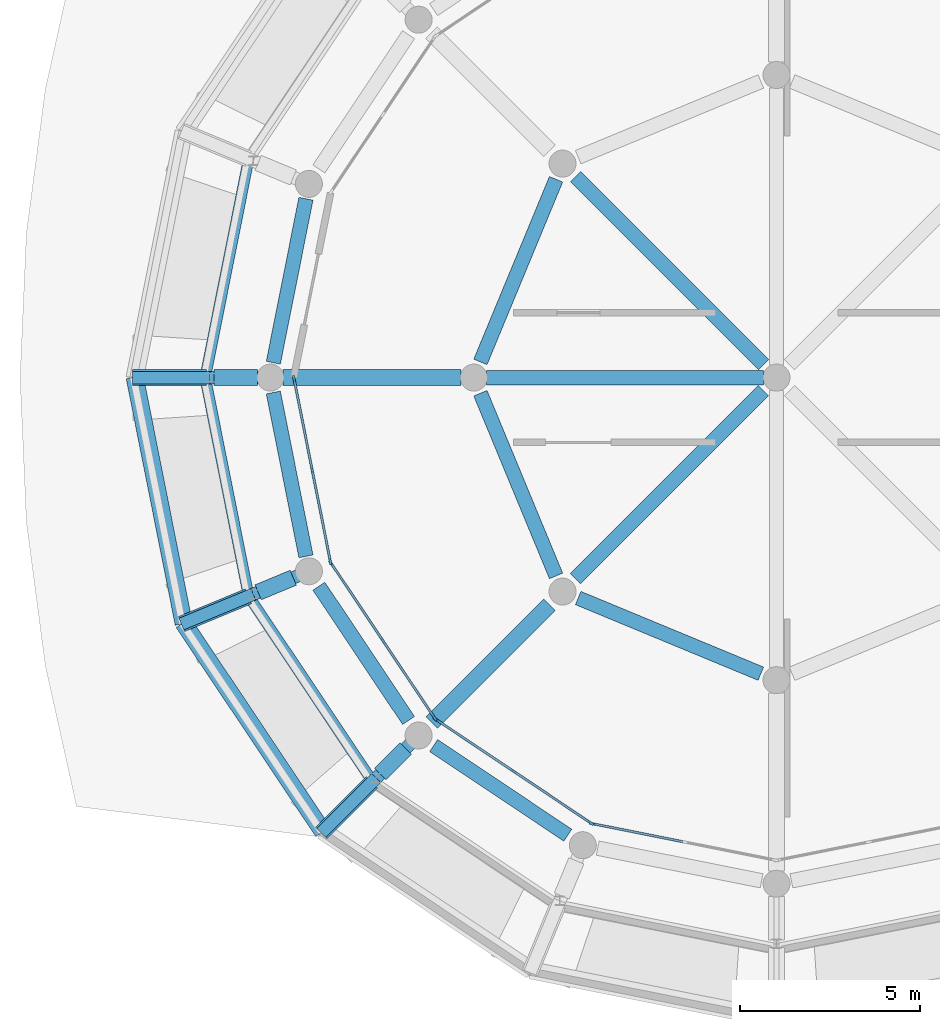
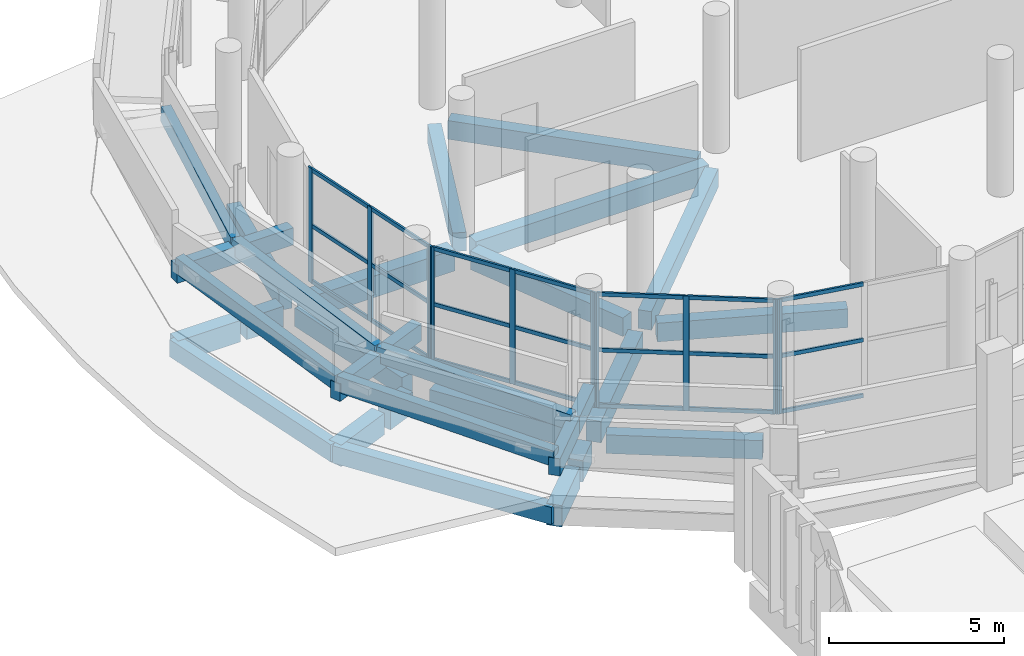
# One storey, part 30 of 117: 31 beams, 31 members, 4 elements without a shape of their own.
"""IFC4 building model written with IfcOpenShell, lengths in metres."""

import ifcopenshell
import ifcopenshell.guid

model = None  # the IFC model being written
_history = None  # IfcOwnerHistory: only IFC2X3 demands one
_inside = {}  # id of a spatial element -> (the spatial element, [elements in it])
_under = {}  # id of a project, library or spatial element -> (it, [spatial elements below it])
_declared = {}  # id of a project -> (the project, [libraries it declares])
_typed = {}  # id of a type object -> (the type object, [elements of that type])
_made_of = {}  # id of a material, layer set ... -> (it, [elements and type objects made of it])


def new_model(schema):
    """Start an empty IFC model of exactly this schema.

    Asked for "IFC4X3", IfcOpenShell would pick the latest addendum, in which some entities
    have other attributes; the version numbers below select the first issue.
    IFC2X3 requires an IfcOwnerHistory on every rooted entity: one is made here for all.
    """
    global model, _history
    if schema == "IFC4X3":
        model = ifcopenshell.file(schema_version=(4, 3, 0, 0))
    else:
        model = ifcopenshell.file(schema=schema)
    _inside.clear()
    _under.clear()
    _declared.clear()
    _typed.clear()
    _made_of.clear()
    _history = None
    if model.schema == "IFC2X3":
        org = make("IfcOrganization", Name="unknown")
        user = make(
            "IfcPersonAndOrganization",
            ThePerson=make("IfcPerson", FamilyName="unknown"),
            TheOrganization=org,
        )
        app = make(
            "IfcApplication",
            ApplicationDeveloper=org,
            Version="unknown",
            ApplicationFullName="unknown",
            ApplicationIdentifier="unknown",
        )
        _history = make(
            "IfcOwnerHistory",
            OwningUser=user,
            OwningApplication=app,
            ChangeAction="ADDED",
            CreationDate=0,
        )
    return model


def make(cls, **values):
    """One entity of the class cls with the attributes given. An attribute that is None is left unset."""
    return model.create_entity(
        cls, **{name: value for name, value in values.items() if value is not None}
    )


def rooted(cls, **values):
    """An entity with a GlobalId (a new one), such as an element, a storey or a relation."""
    return make(cls, GlobalId=ifcopenshell.guid.new(), OwnerHistory=_history, **values)


def si_unit(unit_type, name, prefix=None):
    """IfcSIUnit, for example si_unit("LENGTHUNIT", "METRE", prefix="MILLI")."""
    return make("IfcSIUnit", UnitType=unit_type, Prefix=prefix, Name=name)


def assignment(units):
    """IfcUnitAssignment: the units of a project."""
    return None if units is None else make("IfcUnitAssignment", Units=units)


def point(xyz):
    """IfcCartesianPoint."""
    return None if xyz is None else make("IfcCartesianPoint", Coordinates=xyz)


def direction(xyz):
    """IfcDirection."""
    return None if xyz is None else make("IfcDirection", DirectionRatios=xyz)


def frame(location, z_axis=None, x_axis=None):
    """IfcAxis2Placement3D, a coordinate frame: its origin and axes. An axis left out is left unset."""
    return make(
        "IfcAxis2Placement3D",
        Location=point(location),
        Axis=direction(z_axis),
        RefDirection=direction(x_axis),
    )


def frame_2d(location, x_axis=None):
    """IfcAxis2Placement2D, a coordinate frame in the plane: its origin and x axis."""
    return make(
        "IfcAxis2Placement2D", Location=point(location), RefDirection=direction(x_axis)
    )


def origin():
    """The frame at (0, 0, 0) with its axes left unset."""
    return frame((0.0, 0.0, 0.0))


def origin_2d():
    """The frame at (0, 0) in the plane with its x axis left unset."""
    return frame_2d((0.0, 0.0))


def place(relative_to, where):
    """IfcLocalPlacement: puts the frame where relative to a parent placement (None: the world)."""
    return make(
        "IfcLocalPlacement", PlacementRelTo=relative_to, RelativePlacement=where
    )


def context(
    kind, dimensions, precision=None, world=None, true_north=None, identifier=None
):
    """IfcGeometricRepresentationContext, for example the 3D "Model" context."""
    return make(
        "IfcGeometricRepresentationContext",
        ContextIdentifier=identifier,
        ContextType=kind,
        CoordinateSpaceDimension=dimensions,
        Precision=precision,
        WorldCoordinateSystem=world,
        TrueNorth=true_north,
    )


def subcontext(parent, identifier, kind, view, scale=None):
    """IfcGeometricRepresentationSubContext, for example "Body" below "Model"."""
    return make(
        "IfcGeometricRepresentationSubContext",
        ContextIdentifier=identifier,
        ContextType=kind,
        ParentContext=parent,
        TargetScale=scale,
        TargetView=view,
    )


def project(units=None, contexts=None):
    """IfcProject with its units and contexts."""
    return rooted(
        "IfcProject",
        Name="project",
        RepresentationContexts=contexts,
        UnitsInContext=assignment(units),
    )


def spatial(cls, under=None, at=None, **own):
    """A site, building, storey or space (cls), placed at a placement, below another one or the project."""
    s = rooted(cls, ObjectPlacement=at, **own)
    if under is not None:
        _under.setdefault(under.id(), (under, []))[1].append(s)
    return s


def profile(cls, at=None, kind="AREA", **sizes):
    """A parametric profile (cls). Its sizes go by their IFC names, for example OverallWidth=200.0."""
    return make(cls, ProfileType=kind, Position=at, **sizes)


def rectangle(**sizes):
    """IfcRectangleProfileDef."""
    return profile("IfcRectangleProfileDef", **sizes)


def extrude(swept, where, along, depth):
    """IfcExtrudedAreaSolid: the profile swept, set in the frame where, extruded along a direction by depth."""
    return make(
        "IfcExtrudedAreaSolid",
        SweptArea=swept,
        Position=where,
        ExtrudedDirection=direction(along),
        Depth=depth,
    )


def shape(context_of_items, identifier, shape_type, items):
    """IfcShapeRepresentation: the items that make up one representation, for example the "Body"."""
    return make(
        "IfcShapeRepresentation",
        ContextOfItems=context_of_items,
        RepresentationIdentifier=identifier,
        RepresentationType=shape_type,
        Items=items,
    )


def material(Name=None, Category=None):
    """IfcMaterial."""
    return make("IfcMaterial", Name=Name, Category=Category)


def layer(
    of_material, thickness, ventilated=None, Name=None, Category=None, Priority=None
):
    """IfcMaterialLayer: one layer of a wall or slab, of a material (None: an air gap)."""
    return make(
        "IfcMaterialLayer",
        Material=of_material,
        LayerThickness=thickness,
        IsVentilated=ventilated,
        Name=Name,
        Category=Category,
        Priority=Priority,
    )


def layer_set(layers, Name=None):
    """IfcMaterialLayerSet."""
    return make("IfcMaterialLayerSet", MaterialLayers=layers, LayerSetName=Name)


def material_profile(
    of_material, cross_section, Name=None, Category=None, Priority=None
):
    """IfcMaterialProfile: a cross section and its material."""
    return make(
        "IfcMaterialProfile",
        Name=Name,
        Material=of_material,
        Profile=cross_section,
        Priority=Priority,
        Category=Category,
    )


def profile_set(profiles, Name=None, composite=None):
    """IfcMaterialProfileSet."""
    return make(
        "IfcMaterialProfileSet",
        Name=Name,
        MaterialProfiles=profiles,
        CompositeProfile=composite,
    )


def made_of(thing, what):
    """Note that an element or type object is made of a material, layer set ...; save() writes the relation."""
    if what is not None:
        _made_of.setdefault(what.id(), (what, []))[1].append(thing)
    return thing


def type_object(cls, material=None, **own):
    """A type object (cls), such as IfcWallType, which elements share."""
    return made_of(rooted(cls, **own), material)


def element(
    cls,
    number,
    at=None,
    inside=None,
    cuts=None,
    type_object=None,
    material=None,
    context=None,
    identifier="Body",
    shape_type=None,
    held_by="IfcProductDefinitionShape",
    body=None,
    shapes=None,
    **own,
):
    """One element of the class cls, such as IfcWall. Its Tag is "e" and its number.

    at: its placement. inside: the storey or other place that contains it. cuts: it is an
    opening in that element (IfcRelVoidsElement). A single representation is given by context,
    identifier, shape_type and body (its items); several are given by shapes. held_by: the class
    of the entity that holds the representations. save() writes the other relations.
    """
    e = rooted(cls, Tag="e%d" % number, ObjectPlacement=at, **own)
    if body is not None:
        shapes = [shape(context, identifier, shape_type, body)]
    if shapes is not None:
        e.Representation = make(held_by, Representations=shapes)
    if inside is not None:
        _inside.setdefault(inside.id(), (inside, []))[1].append(e)
    if cuts is not None:
        rooted(
            "IfcRelVoidsElement", RelatingBuildingElement=cuts, RelatedOpeningElement=e
        )
    if type_object is not None:
        _typed.setdefault(type_object.id(), (type_object, []))[1].append(e)
    return made_of(e, material)


def aggregate(whole, parts):
    """IfcRelAggregates: a whole, such as a stair, and the parts it consists of."""
    return rooted("IfcRelAggregates", RelatingObject=whole, RelatedObjects=parts)


def save(model, path):
    """Write the relations noted so far, then the file.

    IfcRelAggregates (storeys below a building ...), IfcRelContainedInSpatialStructure (elements
    in a storey), IfcRelDefinesByType, IfcRelAssociatesMaterial and IfcRelDeclares: one each for
    every whole, place, type object, material and project.
    """
    for whole, parts in _under.values():
        aggregate(whole, parts)
    for where, things in _inside.values():
        rooted(
            "IfcRelContainedInSpatialStructure",
            RelatedElements=things,
            RelatingStructure=where,
        )
    for kind, things in _typed.values():
        rooted("IfcRelDefinesByType", RelatedObjects=things, RelatingType=kind)
    for what, things in _made_of.values():
        rooted("IfcRelAssociatesMaterial", RelatedObjects=things, RelatingMaterial=what)
    for by, libraries in _declared.values():
        rooted("IfcRelDeclares", RelatingContext=by, RelatedDefinitions=libraries)
    model.write(path)


model = new_model("IFC4")

# Units and contexts
model_context = context("Model", 3, precision=1e-05, world=origin(), true_north=direction((0.0, 1.0)))
body_context = subcontext(model_context, "Body", "Model", "MODEL_VIEW")
ifc_project = project(units=[si_unit("LENGTHUNIT", "METRE"), si_unit("AREAUNIT", "SQUARE_METRE"), si_unit("VOLUMEUNIT", "CUBIC_METRE"), si_unit("PLANEANGLEUNIT", "RADIAN"), si_unit("MASSUNIT", "GRAM", prefix="KILO")], contexts=[model_context])

# Site, building, storey
site_placement = place(None, origin())
site = spatial("IfcSite", under=ifc_project, at=site_placement, CompositionType="ELEMENT")
building_placement = place(site_placement, origin())
building = spatial("IfcBuilding", under=site, at=building_placement, Name="Jelvoka-Kovrelna Polytechnic", CompositionType="ELEMENT")
storey_placement = place(building_placement, origin())
storey = spatial("IfcBuildingStorey", under=building, at=storey_placement, Name="L01", CompositionType="ELEMENT", Elevation=0.0)

# Beams
ifc_material_1 = material(Name="Concrete C35/45", Category="concrete")
ifc_material_profile_1 = material_profile(ifc_material_1, rectangle(XDim=0.35009765625, YDim=0.60009765625, at=origin_2d()), Name="RC 350x600")
ifc_profile_set_1 = profile_set([ifc_material_profile_1], Name="Concrete C35/45")
beam_type_1 = type_object("IfcBeamType", Name="Beam_RC_350x600", PredefinedType="BEAM", material=ifc_profile_set_1)
beam_1_placement = place(storey_placement, frame((15.565185546875, 32.565185546875, 0.9150390625), z_axis=(-0.707106781187, -0.707106781187, 0.0), x_axis=(0.707106781187, -0.707106781187, 0.0)))
element("IfcBeam", 1, at=beam_1_placement, inside=storey, type_object=beam_type_1, Name="L01 spiral ramp inner tie beam 1.8", PredefinedType="BEAM", context=body_context, shape_type="SweptSolid", body=[
    extrude(rectangle(XDim=0.35009765625, YDim=0.60009765625, at=origin_2d()), origin(), (0.0, 0.0, 1.0), 1.670166015625),
])
beam_2_placement = place(storey_placement, frame((14.38427734375, 31.38427734375, 0.9150390625), z_axis=(-0.707106781187, -0.707106781187, 0.0), x_axis=(0.707106781187, -0.707106781187, 0.0)))
element("IfcBeam", 2, at=beam_2_placement, inside=storey, type_object=beam_type_1, Name="L01 spiral ramp cantilever bracket 1.8", PredefinedType="BEAM", context=body_context, shape_type="SweptSolid", body=[
    extrude(rectangle(XDim=0.35009765625, YDim=0.60009765625, at=origin_2d()), origin(), (0.0, 0.0, 1.0), 2.159912109375),
])
beam_3_placement = place(storey_placement, frame((12.51953125, 37.123291015625, 1.39501953125), z_axis=(-0.923870731357, -0.38270467954, 0.0), x_axis=(0.38270467954, -0.923870731357, 0.0)))
element("IfcBeam", 3, at=beam_3_placement, inside=storey, type_object=beam_type_1, Name="L01 spiral ramp inner tie beam 1.7", PredefinedType="BEAM", context=body_context, shape_type="SweptSolid", body=[
    extrude(rectangle(XDim=0.35009765625, YDim=0.60009765625, at=origin_2d()), origin(), (0.0, 0.0, 1.0), 1.670166015625),
])
beam_4_placement = place(storey_placement, frame((10.9765625, 36.484130859375, 1.39501953125), z_axis=(-0.923910766313, -0.382608018592, 0.0), x_axis=(0.382608018592, -0.923910766313, 0.0)))
element("IfcBeam", 4, at=beam_4_placement, inside=storey, type_object=beam_type_1, Name="L01 spiral ramp cantilever bracket 1.7", PredefinedType="BEAM", context=body_context, shape_type="SweptSolid", body=[
    extrude(rectangle(XDim=0.35009765625, YDim=0.60009765625, at=origin_2d()), origin(), (0.0, 0.0, 1.0), 2.159912109375),
])
beam_5_placement = place(storey_placement, frame((11.449951171875, 42.5, 1.875), z_axis=(-1.0, 0.0, 0.0), x_axis=(0.0, -1.0, 0.0)))
element("IfcBeam", 5, at=beam_5_placement, inside=storey, type_object=beam_type_1, Name="L01 spiral ramp inner tie beam 1.6", PredefinedType="BEAM", context=body_context, shape_type="SweptSolid", body=[
    extrude(rectangle(XDim=0.35009765625, YDim=0.60009765625, at=origin_2d()), origin(), (0.0, 0.0, 1.0), 1.669921875),
])
beam_6_placement = place(storey_placement, frame((9.780029296875, 42.5, 1.875), z_axis=(-1.0, 0.0, 0.0), x_axis=(0.0, -1.0, 0.0)))
element("IfcBeam", 6, at=beam_6_placement, inside=storey, type_object=beam_type_1, Name="L01 spiral ramp cantilever bracket 1.6", PredefinedType="BEAM", context=body_context, shape_type="SweptSolid", body=[
    extrude(rectangle(XDim=0.35009765625, YDim=0.60009765625, at=origin_2d()), origin(), (0.0, 0.0, 1.0), 2.159912109375),
])
ifc_material_2 = material(Name="Concrete C40/50", Category="concrete")
ifc_material_profile_2 = material_profile(ifc_material_2, rectangle(XDim=0.39990234375, YDim=0.64990234375, at=origin_2d()), Name="RC 400x650")
ifc_profile_set_2 = profile_set([ifc_material_profile_2], Name="Concrete C40/50")
beam_type_2 = type_object("IfcBeamType", Name="Beam_RC_400x650", PredefinedType="BEAM", material=ifc_profile_set_2)
beam_7_placement = place(storey_placement, frame((25.13916015625, 42.86083984375, -0.72998046875), z_axis=(-0.707106781187, 0.707106781187, 0.0), x_axis=(-0.707106781187, -0.707106781187, 0.0)))
element("IfcBeam", 7, at=beam_7_placement, inside=storey, type_object=beam_type_2, Name="L01 beam 2321", PredefinedType="BEAM", context=body_context, shape_type="SweptSolid", body=[
    extrude(rectangle(XDim=0.39990234375, YDim=0.64990234375, at=origin_2d()), origin(), (0.0, 0.0, 1.0), 7.37939453125),
])
beam_8_placement = place(storey_placement, frame((25.14501953125, 42.5, -0.72998046875), z_axis=(-1.0, 0.0, 0.0), x_axis=(0.0, -1.0, 0.0)))
element("IfcBeam", 8, at=beam_8_placement, inside=storey, type_object=beam_type_2, Name="L01 beam 2323", PredefinedType="BEAM", context=body_context, shape_type="SweptSolid", body=[
    extrude(rectangle(XDim=0.39990234375, YDim=0.64990234375, at=origin_2d()), origin(), (0.0, 0.0, 1.0), 7.68994140625),
])
beam_9_placement = place(storey_placement, frame((25.13916015625, 42.13916015625, -0.72998046875), z_axis=(-0.707106781187, -0.707106781187, 0.0), x_axis=(0.707106781187, -0.707106781187, 0.0)))
element("IfcBeam", 9, at=beam_9_placement, inside=storey, type_object=beam_type_2, Name="L01 beam 2325", PredefinedType="BEAM", context=body_context, shape_type="SweptSolid", body=[
    extrude(rectangle(XDim=0.39990234375, YDim=0.64990234375, at=origin_2d()), origin(), (0.0, 0.0, 1.0), 7.37939453125),
])
for number, where, z_axis, x_axis, name in (
    (10, (19.380615234375, 48.005615234375, -0.72998046875), (-0.382703994805, -0.923871015002, 0.0), (0.923871015002, -0.382703994805, 0.0), "L01 beam 2333"),
    (11, (17.27978515625, 42.06591796875, -0.72998046875), (0.382703994805, -0.923871015002, 0.0), (0.923871015002, 0.382703994805, 0.0), "L01 beam 2334"),
    (12, (19.994384765625, 36.380615234375, -0.72998046875), (0.923871015002, -0.382703994805, 0.0), (0.382703994805, 0.923871015002, 0.0), "L01 beam 2335"),
):
    element("IfcBeam", number, at=place(storey_placement, frame(where, z_axis=z_axis, x_axis=x_axis)), inside=storey, type_object=beam_type_2, Name=name, PredefinedType="BEAM", context=body_context, shape_type="SweptSolid", body=[
        extrude(rectangle(XDim=0.39990234375, YDim=0.64990234375, at=origin_2d()), origin(), (0.0, 0.0, 1.0), 5.489501953125),
    ])
for number, where, z_axis, x_axis, name in (
    (13, (12.4375, 47.4638671875, -0.72998046875), (-0.195144706619, -0.980774461066, 0.0), (0.980774461066, -0.195144706619, 0.0), "L01 beam 2342"),
    (14, (11.531982421875, 42.087158203125, -0.72998046875), (0.195144706619, -0.980774461066, 0.0), (0.980774461066, 0.195144706619, 0.0), "L01 beam 2343"),
):
    element("IfcBeam", number, at=place(storey_placement, frame(where, z_axis=z_axis, x_axis=x_axis)), inside=storey, type_object=beam_type_2, Name=name, PredefinedType="BEAM", context=body_context, shape_type="SweptSolid", body=[
        extrude(rectangle(XDim=0.39990234375, YDim=0.64990234375, at=origin_2d()), origin(), (0.0, 0.0, 1.0), 4.64013671875),
    ])
for number, where, z_axis, x_axis, name in (
    (15, (12.79736328125, 36.70751953125, -0.72998046875), (0.55552960698, -0.831496756319, 0.0), (0.831496756319, 0.55552960698, 0.0), "L01 beam 2344"),
    (16, (15.98095703125, 32.287109375, -0.72998046875), (0.831496756319, -0.55552960698, 0.0), (0.55552960698, 0.831496756319, 0.0), "L01 beam 2345"),
):
    element("IfcBeam", number, at=place(storey_placement, frame(where, z_axis=z_axis, x_axis=x_axis)), inside=storey, type_object=beam_type_2, Name=name, PredefinedType="BEAM", context=body_context, shape_type="SweptSolid", body=[
        extrude(rectangle(XDim=0.39990234375, YDim=0.64990234375, at=origin_2d()), origin(), (0.0, 0.0, 1.0), 4.481689453125),
    ])
ifc_material_3 = material(Name="Concrete C40/50", Category="concrete")
ifc_material_profile_3 = material_profile(ifc_material_3, rectangle(XDim=0.449951171875, YDim=0.75, at=origin_2d()), Name="RC 450x750")
ifc_profile_set_3 = profile_set([ifc_material_profile_3], Name="Concrete C40/50")
beam_type_3 = type_object("IfcBeamType", Name="Beam_RC_450x750", PredefinedType="BEAM", material=ifc_profile_set_3)
beam_10_placement = place(storey_placement, frame((16.7451171875, 42.5, -0.780029296875), z_axis=(-1.0, 0.0, 0.0), x_axis=(0.0, -1.0, 0.0)))
element("IfcBeam", 17, at=beam_10_placement, inside=storey, type_object=beam_type_3, Name="L01 beam 2324", PredefinedType="BEAM", context=body_context, shape_type="SweptSolid", body=[
    extrude(rectangle(XDim=0.449951171875, YDim=0.75, at=origin_2d()), origin(), (0.0, 0.0, 1.0), 4.940185546875),
])
beam_11_placement = place(storey_placement, frame((19.199462890625, 36.199462890625, -0.780029296875), z_axis=(-0.707106781187, -0.707106781187, 0.0), x_axis=(0.707106781187, -0.707106781187, 0.0)))
element("IfcBeam", 18, at=beam_11_placement, inside=storey, type_object=beam_type_3, Name="L01 beam 2326", PredefinedType="BEAM", context=body_context, shape_type="SweptSolid", body=[
    extrude(rectangle(XDim=0.449951171875, YDim=0.75, at=origin_2d()), origin(), (0.0, 0.0, 1.0), 4.62939453125),
])
beam_12_placement = place(storey_placement, frame((11.094970703125, 42.5, -0.780029296875), z_axis=(-1.0, 0.0, 0.0), x_axis=(0.0, -1.0, 0.0)))
element("IfcBeam", 19, at=beam_12_placement, inside=storey, type_object=beam_type_3, Name="L01 beam 2360", PredefinedType="BEAM", context=body_context, shape_type="SweptSolid", body=[
    extrude(rectangle(XDim=0.449951171875, YDim=0.75, at=origin_2d()), origin(), (0.0, 0.0, 1.0), 1.2080078125),
])
beam_13_placement = place(storey_placement, frame((9.673095703125, 42.5, -0.780029296875), z_axis=(-1.0, 0.0, 0.0), x_axis=(0.0, -1.0, 0.0)))
element("IfcBeam", 20, at=beam_13_placement, inside=storey, type_object=beam_type_3, Name="L01 beam 2361", PredefinedType="BEAM", context=body_context, shape_type="SweptSolid", body=[
    extrude(rectangle(XDim=0.449951171875, YDim=0.75, at=origin_2d()), origin(), (0.0, 0.0, 1.0), 2.052978515625),
])
beam_14_placement = place(storey_placement, frame((12.085205078125, 36.943603515625, -0.780029296875), z_axis=(-0.923822033971, -0.382822216634, 0.0), x_axis=(0.382822216634, -0.923822033971, 0.0)))
element("IfcBeam", 21, at=beam_14_placement, inside=storey, type_object=beam_type_3, Name="L01 beam 2362", PredefinedType="BEAM", context=body_context, shape_type="SweptSolid", body=[
    extrude(rectangle(XDim=0.449951171875, YDim=0.75, at=origin_2d()), origin(), (0.0, 0.0, 1.0), 1.05419921875),
])
beam_15_placement = place(storey_placement, frame((10.841796875, 36.428466796875, -0.780029296875), z_axis=(-0.923885350966, -0.38266938507, 0.0), x_axis=(0.38266938507, -0.923885350966, 0.0)))
element("IfcBeam", 22, at=beam_15_placement, inside=storey, type_object=beam_type_3, Name="L01 beam 2363", PredefinedType="BEAM", context=body_context, shape_type="SweptSolid", body=[
    extrude(rectangle(XDim=0.449951171875, YDim=0.75, at=origin_2d()), origin(), (0.0, 0.0, 1.0), 2.01416015625),
])
beam_16_placement = place(storey_placement, frame((15.2041015625, 32.2041015625, -0.780029296875), z_axis=(-0.707106781187, -0.707106781187, 0.0), x_axis=(0.707106781187, -0.707106781187, 0.0)))
element("IfcBeam", 23, at=beam_16_placement, inside=storey, type_object=beam_type_3, Name="L01 beam 2364", PredefinedType="BEAM", context=body_context, shape_type="SweptSolid", body=[
    extrude(rectangle(XDim=0.449951171875, YDim=0.75, at=origin_2d()), origin(), (0.0, 0.0, 1.0), 0.99951171875),
])
beam_17_placement = place(storey_placement, frame((14.271484375, 31.271484375, -0.780029296875), z_axis=(-0.707106781187, -0.707106781187, 0.0), x_axis=(0.707106781187, -0.707106781187, 0.0)))
element("IfcBeam", 24, at=beam_17_placement, inside=storey, type_object=beam_type_3, Name="L01 beam 2365", PredefinedType="BEAM", context=body_context, shape_type="SweptSolid", body=[
    extrude(rectangle(XDim=0.449951171875, YDim=0.75, at=origin_2d()), origin(), (0.0, 0.0, 1.0), 2.00048828125),
])

# Curtain wall, members
ifc_material_4 = material(Name="Anodised aluminium 6063-T6", Category="aluminium")
ifc_layer = layer(ifc_material_4, 0.179931640625)
ifc_layer_set = layer_set([ifc_layer], Name="Anodised aluminium 6063-T6")
curtain_wall_type = type_object("IfcCurtainWallType", Name="CW_Pavilion", PredefinedType="NOTDEFINED", material=ifc_layer_set)
curtain_wall_1_placement = place(storey_placement, origin())
curtain_wall_1 = element("IfcCurtainWall", 25, at=curtain_wall_1_placement, inside=storey, type_object=curtain_wall_type, Name="L01 glazed curtain wall 216", PredefinedType="NOTDEFINED")
ifc_material_5 = material(Name="Anodised aluminium 6063-T6", Category="aluminium")
ifc_material_profile_4 = material_profile(ifc_material_5, rectangle(XDim=0.06494140625, YDim=0.179931640625, at=origin_2d()), Name="ALU 65x180")
ifc_profile_set_4 = profile_set([ifc_material_profile_4], Name="Anodised aluminium 6063-T6")
member_type_1 = type_object("IfcMemberType", Name="Mullion_M-05", PredefinedType="MULLION", material=ifc_profile_set_4)
member_1_placement = place(storey_placement, frame((13.11376953125, 37.40380859375, -0.02490234375), z_axis=(0.0, 0.0, 1.0), x_axis=(-0.980786108197, -0.195086160371, 0.0)))
member_1 = element("IfcMember", 26, at=member_1_placement, type_object=member_type_1, Name="CW-05 mullion 1", PredefinedType="MULLION", context=body_context, shape_type="SweptSolid", body=[
    extrude(rectangle(XDim=0.06494140625, YDim=0.179931640625, at=origin_2d()), origin(), (0.0, 0.0, 1.0), 4.0),
])
member_2_placement = place(storey_placement, frame((12.610107421875, 39.93603515625, -0.02490234375), z_axis=(0.0, 0.0, 1.0), x_axis=(-0.980786108197, -0.195086160371, 0.0)))
member_2 = element("IfcMember", 27, at=member_2_placement, type_object=member_type_1, Name="CW-05 mullion 2", PredefinedType="MULLION", context=body_context, shape_type="SweptSolid", body=[
    extrude(rectangle(XDim=0.06494140625, YDim=0.179931640625, at=origin_2d()), origin(), (0.0, 0.0, 1.0), 4.0),
])
member_3_placement = place(storey_placement, frame((12.1064453125, 42.468017578125, -0.02490234375), z_axis=(0.0, 0.0, 1.0), x_axis=(-0.980786108197, -0.195086160371, 0.0)))
member_3 = element("IfcMember", 28, at=member_3_placement, type_object=member_type_1, Name="CW-05 mullion 3", PredefinedType="MULLION", context=body_context, shape_type="SweptSolid", body=[
    extrude(rectangle(XDim=0.06494140625, YDim=0.179931640625, at=origin_2d()), origin(), (0.0, 0.0, 1.0), 4.0),
])

curtain_wall_2_placement = place(storey_placement, origin())
curtain_wall_2 = element("IfcCurtainWall", 29, at=curtain_wall_2_placement, inside=storey, type_object=curtain_wall_type, Name="L01 glazed curtain wall 217", PredefinedType="NOTDEFINED")
member_4_placement = place(storey_placement, frame((16.0068359375, 33.0517578125, -0.02490234375), z_axis=(0.0, 0.0, 1.0), x_axis=(-0.83146132254, -0.555582639326, 0.0)))
member_4 = element("IfcMember", 30, at=member_4_placement, type_object=member_type_1, Name="CW-05 mullion 1", PredefinedType="MULLION", context=body_context, shape_type="SweptSolid", body=[
    extrude(rectangle(XDim=0.06494140625, YDim=0.179931640625, at=origin_2d()), origin(), (0.0, 0.0, 1.0), 4.0),
])
member_5_placement = place(storey_placement, frame((14.572509765625, 35.198486328125, -0.02490234375), z_axis=(0.0, 0.0, 1.0), x_axis=(-0.83146132254, -0.555582639326, 0.0)))
member_5 = element("IfcMember", 31, at=member_5_placement, type_object=member_type_1, Name="CW-05 mullion 2", PredefinedType="MULLION", context=body_context, shape_type="SweptSolid", body=[
    extrude(rectangle(XDim=0.06494140625, YDim=0.179931640625, at=origin_2d()), origin(), (0.0, 0.0, 1.0), 4.0),
])
member_6_placement = place(storey_placement, frame((13.137939453125, 37.344970703125, -0.02490234375), z_axis=(0.0, 0.0, 1.0), x_axis=(-0.83146132254, -0.555582639326, 0.0)))
member_6 = element("IfcMember", 32, at=member_6_placement, type_object=member_type_1, Name="CW-05 mullion 3", PredefinedType="MULLION", context=body_context, shape_type="SweptSolid", body=[
    extrude(rectangle(XDim=0.06494140625, YDim=0.179931640625, at=origin_2d()), origin(), (0.0, 0.0, 1.0), 4.0),
])

curtain_wall_3_placement = place(storey_placement, origin())
curtain_wall_3 = element("IfcCurtainWall", 33, at=curtain_wall_3_placement, inside=storey, type_object=curtain_wall_type, Name="L01 glazed curtain wall 218", PredefinedType="NOTDEFINED")
member_7_placement = place(storey_placement, frame((20.344970703125, 30.137939453125, -0.02490234375), z_axis=(0.0, 0.0, 1.0), x_axis=(-0.555582639326, -0.83146132254, 0.0)))
member_7 = element("IfcMember", 34, at=member_7_placement, type_object=member_type_1, Name="CW-05 mullion 1", PredefinedType="MULLION", context=body_context, shape_type="SweptSolid", body=[
    extrude(rectangle(XDim=0.06494140625, YDim=0.179931640625, at=origin_2d()), origin(), (0.0, 0.0, 1.0), 4.0),
])
member_8_placement = place(storey_placement, frame((18.198486328125, 31.572509765625, -0.02490234375), z_axis=(0.0, 0.0, 1.0), x_axis=(-0.555582639326, -0.83146132254, 0.0)))
member_8 = element("IfcMember", 35, at=member_8_placement, type_object=member_type_1, Name="CW-05 mullion 2", PredefinedType="MULLION", context=body_context, shape_type="SweptSolid", body=[
    extrude(rectangle(XDim=0.06494140625, YDim=0.179931640625, at=origin_2d()), origin(), (0.0, 0.0, 1.0), 4.0),
])
member_9_placement = place(storey_placement, frame((16.0517578125, 33.0068359375, -0.02490234375), z_axis=(0.0, 0.0, 1.0), x_axis=(-0.555582639326, -0.83146132254, 0.0)))
member_9 = element("IfcMember", 36, at=member_9_placement, type_object=member_type_1, Name="CW-05 mullion 3", PredefinedType="MULLION", context=body_context, shape_type="SweptSolid", body=[
    extrude(rectangle(XDim=0.06494140625, YDim=0.179931640625, at=origin_2d()), origin(), (0.0, 0.0, 1.0), 4.0),
])

# Curtain wall, member
curtain_wall_4_placement = place(storey_placement, origin())
curtain_wall_4 = element("IfcCurtainWall", 37, at=curtain_wall_4_placement, inside=storey, type_object=curtain_wall_type, Name="L01 glazed curtain wall 219", PredefinedType="NOTDEFINED")
member_10_placement = place(storey_placement, frame((20.40380859375, 30.11376953125, -0.02490234375), z_axis=(0.0, 0.0, 1.0), x_axis=(-0.195086160371, -0.980786108197, 0.0)))
member_10 = element("IfcMember", 38, at=member_10_placement, type_object=member_type_1, Name="CW-05 mullion 3", PredefinedType="MULLION", context=body_context, shape_type="SweptSolid", body=[
    extrude(rectangle(XDim=0.06494140625, YDim=0.179931640625, at=origin_2d()), origin(), (0.0, 0.0, 1.0), 4.0),
])

# Beams
ifc_material_6 = material(Name="Concrete C40/50", Category="concrete")
ifc_material_profile_5 = material_profile(ifc_material_6, rectangle(XDim=0.300048828125, YDim=0.550048828125, at=origin_2d()), Name="RC 300x550")
ifc_profile_set_5 = profile_set([ifc_material_profile_5], Name="Concrete C40/50")
beam_type_4 = type_object("IfcBeamType", Name="Spandrel_RC_300x550", PredefinedType="SPANDREL", material=ifc_profile_set_5)
beam_18_placement = place(storey_placement, frame((12.97021484375, 29.97021484375, 1.1650390625), z_axis=(-0.554262207017, 0.829455823466, 0.069256355599), x_axis=(-0.831452226772, -0.555596251424, 0.0)))
element("IfcBeam", 39, at=beam_18_placement, inside=storey, type_object=beam_type_4, Name="L01 spiral ramp curved outer stringer 1.8", PredefinedType="SPANDREL", context=body_context, shape_type="SweptSolid", body=[
    extrude(rectangle(XDim=0.300048828125, YDim=0.550048828125, at=origin_2d()), origin(), (0.0, 0.0, 1.0), 6.930419921875),
])
beam_19_placement = place(storey_placement, frame((14.285400390625, 31.285400390625, 1.1650390625), z_axis=(-0.553910202908, 0.828977242315, 0.077331874657), x_axis=(-0.831467148194, -0.555573920801, 0.0)))
element("IfcBeam", 40, at=beam_19_placement, inside=storey, type_object=beam_type_4, Name="L01 spiral ramp curved inner stringer 1.8", PredefinedType="SPANDREL", context=body_context, shape_type="SweptSolid", body=[
    extrude(rectangle(XDim=0.300048828125, YDim=0.550048828125, at=origin_2d()), origin(), (0.0, 0.0, 1.0), 6.206787109375),
])
beam_20_placement = place(storey_placement, frame((9.12890625, 35.71875, 1.64501953125), z_axis=(-0.194622265834, 0.978430417341, 0.069253823462), x_axis=(-0.980785212274, -0.195090664524, 0.0)))
element("IfcBeam", 41, at=beam_20_placement, inside=storey, type_object=beam_type_4, Name="L01 spiral ramp curved outer stringer 1.7", PredefinedType="SPANDREL", context=body_context, shape_type="SweptSolid", body=[
    extrude(rectangle(XDim=0.300048828125, YDim=0.550048828125, at=origin_2d()), origin(), (0.0, 0.0, 1.0), 6.9306640625),
])
for number, where, z_axis, x_axis, name in (
    (42, (10.847412109375, 36.4306640625, 1.64501953125), (-0.194545422909, 0.977840520324, 0.07733042892), (-0.980777439808, -0.195129735209, 0.0), "L01 spiral ramp curved inner stringer 1.7"),
    (43, (9.639892578125, 42.5, 2.125), (0.194545422909, 0.977840520324, 0.07733042892), (-0.980777439808, 0.195129735209, 0.0), "L01 spiral ramp curved inner stringer 1.6"),
):
    element("IfcBeam", number, at=place(storey_placement, frame(where, z_axis=z_axis, x_axis=x_axis)), inside=storey, type_object=beam_type_4, Name=name, PredefinedType="SPANDREL", context=body_context, shape_type="SweptSolid", body=[
        extrude(rectangle(XDim=0.300048828125, YDim=0.550048828125, at=origin_2d()), origin(), (0.0, 0.0, 1.0), 6.206787109375),
    ])
ifc_material_7 = material(Name="Concrete C40/50", Category="concrete")
ifc_material_profile_6 = material_profile(ifc_material_7, rectangle(XDim=0.35009765625, YDim=0.60009765625, at=origin_2d()), Name="RC 350x600")
ifc_profile_set_6 = profile_set([ifc_material_profile_6], Name="Concrete C40/50")
beam_type_5 = type_object("IfcBeamType", Name="Spandrel_RC_350x600", PredefinedType="SPANDREL", material=ifc_profile_set_6)
beam_21_placement = place(storey_placement, frame((7.6201171875, 42.5, -0.705078125), z_axis=(0.19506615109, -0.98079008799, 0.0), x_axis=(0.98079008799, 0.19506615109, 0.0)))
element("IfcBeam", 44, at=beam_21_placement, inside=storey, type_object=beam_type_5, Name="L01 beam 2379", PredefinedType="SPANDREL", context=body_context, shape_type="SweptSolid", body=[
    extrude(rectangle(XDim=0.35009765625, YDim=0.60009765625, at=origin_2d()), origin(), (0.0, 0.0, 1.0), 6.976318359375),
])
beam_22_placement = place(storey_placement, frame((8.98095703125, 35.65771484375, -0.705078125), z_axis=(0.555572061125, -0.831468390799, 0.0), x_axis=(0.831468390799, 0.555572061125, 0.0)))
element("IfcBeam", 45, at=beam_22_placement, inside=storey, type_object=beam_type_5, Name="L01 beam 2380", PredefinedType="SPANDREL", context=body_context, shape_type="SweptSolid", body=[
    extrude(rectangle(XDim=0.35009765625, YDim=0.60009765625, at=origin_2d()), origin(), (0.0, 0.0, 1.0), 6.9765625),
])

# Member
ifc_material_8 = material(Name="Anodised aluminium 6063-T6", Category="aluminium")
ifc_material_profile_7 = material_profile(ifc_material_8, rectangle(XDim=0.06494140625, YDim=0.135009765625, at=origin_2d()), Name="ALU 65x135")
ifc_profile_set_7 = profile_set([ifc_material_profile_7], Name="Anodised aluminium 6063-T6")
member_type_2 = type_object("IfcMemberType", Name="Transom_T-05", PredefinedType="USERDEFINED", material=ifc_profile_set_7)
member_11_placement = place(storey_placement, frame((13.107421875, 37.435791015625, 0.032470703125), z_axis=(-0.195089945547, 0.980785355287, 0.0), x_axis=(-0.980785355287, -0.195089945547, 0.0)))
member_11 = element("IfcMember", 46, at=member_11_placement, type_object=member_type_2, Name="CW-05 transom 1.1", ObjectType="TRANSOM", PredefinedType="USERDEFINED", context=body_context, shape_type="SweptSolid", body=[
    extrude(rectangle(XDim=0.06494140625, YDim=0.135009765625, at=origin_2d()), origin(), (0.0, 0.0, 1.0), 2.5166015625),
])

member_12_placement = place(storey_placement, frame((13.107421875, 37.435791015625, 1.97509765625), z_axis=(-0.195089945547, 0.980785355287, 0.0), x_axis=(-0.980785355287, -0.195089945547, 0.0)))
member_12 = element("IfcMember", 47, at=member_12_placement, type_object=member_type_2, Name="CW-05 transom 1.2", ObjectType="TRANSOM", PredefinedType="USERDEFINED", context=body_context, shape_type="SweptSolid", body=[
    extrude(rectangle(XDim=0.06494140625, YDim=0.135009765625, at=origin_2d()), origin(), (0.0, 0.0, 1.0), 2.5166015625),
])

member_13_placement = place(storey_placement, frame((13.107421875, 37.435791015625, 3.91748046875), z_axis=(-0.195089945547, 0.980785355287, 0.0), x_axis=(-0.980785355287, -0.195089945547, 0.0)))
member_13 = element("IfcMember", 48, at=member_13_placement, type_object=member_type_2, Name="CW-05 transom 1.3", ObjectType="TRANSOM", PredefinedType="USERDEFINED", context=body_context, shape_type="SweptSolid", body=[
    extrude(rectangle(XDim=0.06494140625, YDim=0.135009765625, at=origin_2d()), origin(), (0.0, 0.0, 1.0), 2.5166015625),
])

member_14_placement = place(storey_placement, frame((12.603759765625, 39.9677734375, 0.032470703125), z_axis=(-0.195071384983, 0.980789047023, 0.0), x_axis=(-0.980789047023, -0.195071384983, 0.0)))
member_14 = element("IfcMember", 49, at=member_14_placement, type_object=member_type_2, Name="CW-05 transom 2.1", ObjectType="TRANSOM", PredefinedType="USERDEFINED", context=body_context, shape_type="SweptSolid", body=[
    extrude(rectangle(XDim=0.06494140625, YDim=0.135009765625, at=origin_2d()), origin(), (0.0, 0.0, 1.0), 2.516845703125),
])

member_15_placement = place(storey_placement, frame((12.603759765625, 39.9677734375, 1.97509765625), z_axis=(-0.195071384983, 0.980789047023, 0.0), x_axis=(-0.980789047023, -0.195071384983, 0.0)))
member_15 = element("IfcMember", 50, at=member_15_placement, type_object=member_type_2, Name="CW-05 transom 2.2", ObjectType="TRANSOM", PredefinedType="USERDEFINED", context=body_context, shape_type="SweptSolid", body=[
    extrude(rectangle(XDim=0.06494140625, YDim=0.135009765625, at=origin_2d()), origin(), (0.0, 0.0, 1.0), 2.516845703125),
])

member_16_placement = place(storey_placement, frame((12.603759765625, 39.9677734375, 3.91748046875), z_axis=(-0.195071384983, 0.980789047023, 0.0), x_axis=(-0.980789047023, -0.195071384983, 0.0)))
member_16 = element("IfcMember", 51, at=member_16_placement, type_object=member_type_2, Name="CW-05 transom 2.3", ObjectType="TRANSOM", PredefinedType="USERDEFINED", context=body_context, shape_type="SweptSolid", body=[
    extrude(rectangle(XDim=0.06494140625, YDim=0.135009765625, at=origin_2d()), origin(), (0.0, 0.0, 1.0), 2.516845703125),
])

aggregate(curtain_wall_1, [member_1, member_2, member_3, member_11, member_12, member_13, member_14, member_15, member_16])

member_17_placement = place(storey_placement, frame((15.98876953125, 33.078857421875, 0.032470703125), z_axis=(-0.555572975667, 0.831467779718, 0.0), x_axis=(-0.831467779718, -0.555572975667, 0.0)))
member_17 = element("IfcMember", 52, at=member_17_placement, type_object=member_type_2, Name="CW-05 transom 1.1", ObjectType="TRANSOM", PredefinedType="USERDEFINED", context=body_context, shape_type="SweptSolid", body=[
    extrude(rectangle(XDim=0.06494140625, YDim=0.135009765625, at=origin_2d()), origin(), (0.0, 0.0, 1.0), 2.5166015625),
])

member_18_placement = place(storey_placement, frame((15.98876953125, 33.078857421875, 1.97509765625), z_axis=(-0.555572975667, 0.831467779718, 0.0), x_axis=(-0.831467779718, -0.555572975667, 0.0)))
member_18 = element("IfcMember", 53, at=member_18_placement, type_object=member_type_2, Name="CW-05 transom 1.2", ObjectType="TRANSOM", PredefinedType="USERDEFINED", context=body_context, shape_type="SweptSolid", body=[
    extrude(rectangle(XDim=0.06494140625, YDim=0.135009765625, at=origin_2d()), origin(), (0.0, 0.0, 1.0), 2.5166015625),
])

member_19_placement = place(storey_placement, frame((15.98876953125, 33.078857421875, 3.91748046875), z_axis=(-0.555572975667, 0.831467779718, 0.0), x_axis=(-0.831467779718, -0.555572975667, 0.0)))
member_19 = element("IfcMember", 54, at=member_19_placement, type_object=member_type_2, Name="CW-05 transom 1.3", ObjectType="TRANSOM", PredefinedType="USERDEFINED", context=body_context, shape_type="SweptSolid", body=[
    extrude(rectangle(XDim=0.06494140625, YDim=0.135009765625, at=origin_2d()), origin(), (0.0, 0.0, 1.0), 2.5166015625),
])

member_20_placement = place(storey_placement, frame((14.554443359375, 35.225341796875, 0.032470703125), z_axis=(-0.555640036612, 0.831422966795, 0.0), x_axis=(-0.831422966795, -0.555640036612, 0.0)))
member_20 = element("IfcMember", 55, at=member_20_placement, type_object=member_type_2, Name="CW-05 transom 2.1", ObjectType="TRANSOM", PredefinedType="USERDEFINED", context=body_context, shape_type="SweptSolid", body=[
    extrude(rectangle(XDim=0.06494140625, YDim=0.135009765625, at=origin_2d()), origin(), (0.0, 0.0, 1.0), 2.516845703125),
])

member_21_placement = place(storey_placement, frame((14.554443359375, 35.225341796875, 1.97509765625), z_axis=(-0.555640036612, 0.831422966795, 0.0), x_axis=(-0.831422966795, -0.555640036612, 0.0)))
member_21 = element("IfcMember", 56, at=member_21_placement, type_object=member_type_2, Name="CW-05 transom 2.2", ObjectType="TRANSOM", PredefinedType="USERDEFINED", context=body_context, shape_type="SweptSolid", body=[
    extrude(rectangle(XDim=0.06494140625, YDim=0.135009765625, at=origin_2d()), origin(), (0.0, 0.0, 1.0), 2.516845703125),
])

member_22_placement = place(storey_placement, frame((14.554443359375, 35.225341796875, 3.91748046875), z_axis=(-0.555640036612, 0.831422966795, 0.0), x_axis=(-0.831422966795, -0.555640036612, 0.0)))
member_22 = element("IfcMember", 57, at=member_22_placement, type_object=member_type_2, Name="CW-05 transom 2.3", ObjectType="TRANSOM", PredefinedType="USERDEFINED", context=body_context, shape_type="SweptSolid", body=[
    extrude(rectangle(XDim=0.06494140625, YDim=0.135009765625, at=origin_2d()), origin(), (0.0, 0.0, 1.0), 2.516845703125),
])

aggregate(curtain_wall_2, [member_4, member_5, member_6, member_17, member_18, member_19, member_20, member_21, member_22])

member_23_placement = place(storey_placement, frame((20.31787109375, 30.156005859375, 0.032470703125), z_axis=(-0.831422966795, 0.555640036612, 0.0), x_axis=(-0.555640036612, -0.831422966795, 0.0)))
member_23 = element("IfcMember", 58, at=member_23_placement, type_object=member_type_2, Name="CW-05 transom 1.1", ObjectType="TRANSOM", PredefinedType="USERDEFINED", context=body_context, shape_type="SweptSolid", body=[
    extrude(rectangle(XDim=0.06494140625, YDim=0.135009765625, at=origin_2d()), origin(), (0.0, 0.0, 1.0), 2.516845703125),
])

member_24_placement = place(storey_placement, frame((20.31787109375, 30.156005859375, 1.97509765625), z_axis=(-0.831422966795, 0.555640036612, 0.0), x_axis=(-0.555640036612, -0.831422966795, 0.0)))
member_24 = element("IfcMember", 59, at=member_24_placement, type_object=member_type_2, Name="CW-05 transom 1.2", ObjectType="TRANSOM", PredefinedType="USERDEFINED", context=body_context, shape_type="SweptSolid", body=[
    extrude(rectangle(XDim=0.06494140625, YDim=0.135009765625, at=origin_2d()), origin(), (0.0, 0.0, 1.0), 2.516845703125),
])

member_25_placement = place(storey_placement, frame((20.31787109375, 30.156005859375, 3.91748046875), z_axis=(-0.831422966795, 0.555640036612, 0.0), x_axis=(-0.555640036612, -0.831422966795, 0.0)))
member_25 = element("IfcMember", 60, at=member_25_placement, type_object=member_type_2, Name="CW-05 transom 1.3", ObjectType="TRANSOM", PredefinedType="USERDEFINED", context=body_context, shape_type="SweptSolid", body=[
    extrude(rectangle(XDim=0.06494140625, YDim=0.135009765625, at=origin_2d()), origin(), (0.0, 0.0, 1.0), 2.516845703125),
])

member_26_placement = place(storey_placement, frame((18.17138671875, 31.590576171875, 0.032470703125), z_axis=(-0.831467779718, 0.555572975667, 0.0), x_axis=(-0.555572975667, -0.831467779718, 0.0)))
member_26 = element("IfcMember", 61, at=member_26_placement, type_object=member_type_2, Name="CW-05 transom 2.1", ObjectType="TRANSOM", PredefinedType="USERDEFINED", context=body_context, shape_type="SweptSolid", body=[
    extrude(rectangle(XDim=0.06494140625, YDim=0.135009765625, at=origin_2d()), origin(), (0.0, 0.0, 1.0), 2.5166015625),
])

member_27_placement = place(storey_placement, frame((18.17138671875, 31.590576171875, 1.97509765625), z_axis=(-0.831467779718, 0.555572975667, 0.0), x_axis=(-0.555572975667, -0.831467779718, 0.0)))
member_27 = element("IfcMember", 62, at=member_27_placement, type_object=member_type_2, Name="CW-05 transom 2.2", ObjectType="TRANSOM", PredefinedType="USERDEFINED", context=body_context, shape_type="SweptSolid", body=[
    extrude(rectangle(XDim=0.06494140625, YDim=0.135009765625, at=origin_2d()), origin(), (0.0, 0.0, 1.0), 2.5166015625),
])

member_28_placement = place(storey_placement, frame((18.17138671875, 31.590576171875, 3.91748046875), z_axis=(-0.831467779718, 0.555572975667, 0.0), x_axis=(-0.555572975667, -0.831467779718, 0.0)))
member_28 = element("IfcMember", 63, at=member_28_placement, type_object=member_type_2, Name="CW-05 transom 2.3", ObjectType="TRANSOM", PredefinedType="USERDEFINED", context=body_context, shape_type="SweptSolid", body=[
    extrude(rectangle(XDim=0.06494140625, YDim=0.135009765625, at=origin_2d()), origin(), (0.0, 0.0, 1.0), 2.5166015625),
])

aggregate(curtain_wall_3, [member_7, member_8, member_9, member_23, member_24, member_25, member_26, member_27, member_28])

member_29_placement = place(storey_placement, frame((22.904052734375, 29.616455078125, 0.032470703125), z_axis=(-0.980785355287, 0.195089945547, 0.0), x_axis=(-0.195089945547, -0.980785355287, 0.0)))
member_29 = element("IfcMember", 64, at=member_29_placement, type_object=member_type_2, Name="CW-05 transom 2.1", ObjectType="TRANSOM", PredefinedType="USERDEFINED", context=body_context, shape_type="SweptSolid", body=[
    extrude(rectangle(XDim=0.06494140625, YDim=0.135009765625, at=origin_2d()), origin(), (0.0, 0.0, 1.0), 2.5166015625),
])

member_30_placement = place(storey_placement, frame((22.904052734375, 29.616455078125, 1.97509765625), z_axis=(-0.980785355287, 0.195089945547, 0.0), x_axis=(-0.195089945547, -0.980785355287, 0.0)))
member_30 = element("IfcMember", 65, at=member_30_placement, type_object=member_type_2, Name="CW-05 transom 2.2", ObjectType="TRANSOM", PredefinedType="USERDEFINED", context=body_context, shape_type="SweptSolid", body=[
    extrude(rectangle(XDim=0.06494140625, YDim=0.135009765625, at=origin_2d()), origin(), (0.0, 0.0, 1.0), 2.5166015625),
])

member_31_placement = place(storey_placement, frame((22.904052734375, 29.616455078125, 3.91748046875), z_axis=(-0.980785355287, 0.195089945547, 0.0), x_axis=(-0.195089945547, -0.980785355287, 0.0)))
member_31 = element("IfcMember", 66, at=member_31_placement, type_object=member_type_2, Name="CW-05 transom 2.3", ObjectType="TRANSOM", PredefinedType="USERDEFINED", context=body_context, shape_type="SweptSolid", body=[
    extrude(rectangle(XDim=0.06494140625, YDim=0.135009765625, at=origin_2d()), origin(), (0.0, 0.0, 1.0), 2.5166015625),
])

aggregate(curtain_wall_4, [member_10, member_29, member_30, member_31])

save(model, "model.ifc")
